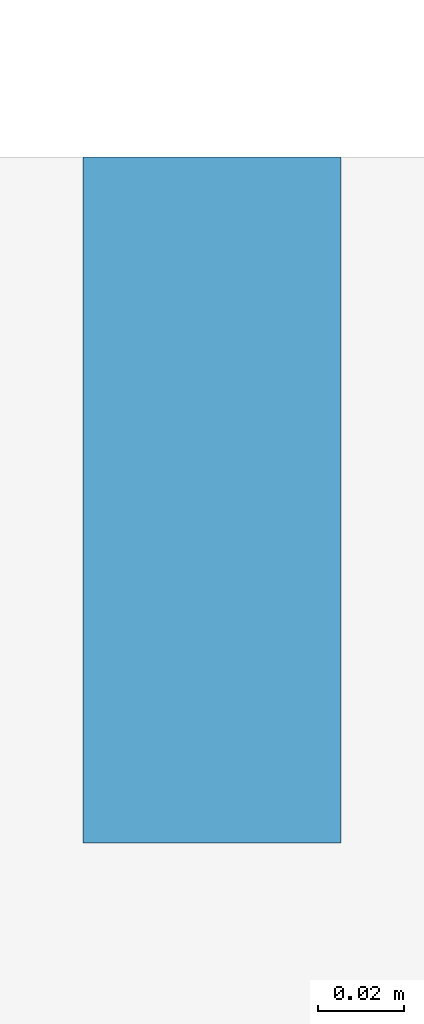
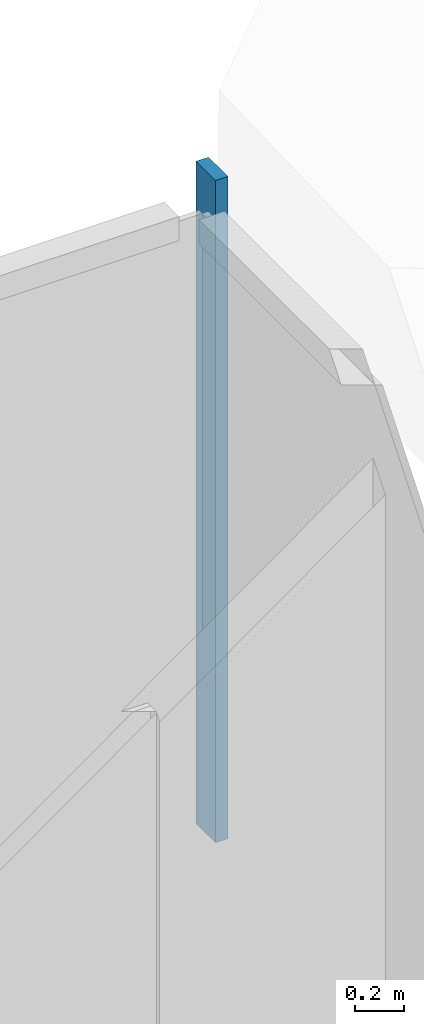
# One storey, part 12 of 26: 1 member, 1 element without a shape of its own.
"""IFC4 building model written with IfcOpenShell, lengths in metres."""

from ifc_helpers import new_model, si_unit, direction, frame, origin, origin_2d, place, context, subcontext, project, spatial, rectangle, extrude, material, material_profile, profile_set, type_object, element, aggregate, save


model = new_model("IFC4")

# Units and contexts
model_context = context("Model", 3, precision=1e-05, world=origin(), true_north=direction((0.0, 1.0)))
body_context = subcontext(model_context, "Body", "Model", "MODEL_VIEW")
ifc_project = project(units=[si_unit("LENGTHUNIT", "METRE"), si_unit("AREAUNIT", "SQUARE_METRE"), si_unit("VOLUMEUNIT", "CUBIC_METRE"), si_unit("PLANEANGLEUNIT", "RADIAN"), si_unit("MASSUNIT", "GRAM", prefix="KILO")], contexts=[model_context])

# Site, building, storey
site_placement = place(None, origin())
site = spatial("IfcSite", under=ifc_project, at=site_placement, CompositionType="ELEMENT")
building_placement = place(site_placement, origin())
building = spatial("IfcBuilding", under=site, at=building_placement, Name="Saffron Gate Tower", CompositionType="ELEMENT")
storey_placement = place(building_placement, frame((0.0, 0.0, 277.949951171875)))
storey = spatial("IfcBuildingStorey", under=building, at=storey_placement, Name="L67", CompositionType="ELEMENT", Elevation=277.949951171875)

# Curtain wall, member
ifc_material = material(Name="Aluminium, bronze anodised", Category="aluminium")
curtain_wall_type = type_object("IfcCurtainWallType", Name="CWS4 curtain wall corner returns", PredefinedType="NOTDEFINED", material=ifc_material)
curtain_wall_placement = place(storey_placement, origin())
curtain_wall = element("IfcCurtainWall", 1, at=curtain_wall_placement, inside=storey, type_object=curtain_wall_type, Name="CWS4 run 5", PredefinedType="NOTDEFINED")
ifc_material_profile = material_profile(ifc_material, rectangle(XDim=0.159912109375, YDim=0.06005859375, at=origin_2d()))
ifc_profile_set = profile_set([ifc_material_profile], Name="Aluminium, bronze anodised")
member_type = type_object("IfcMemberType", Name="CWS4 mullion 60x160", PredefinedType="MULLION", material=ifc_profile_set)
member_placement = place(storey_placement, frame((118.719970703125, 71.320068359375, 0.0), z_axis=(0.0, 0.0, 1.0), x_axis=(0.0, -1.0, 0.0)))
member = element("IfcMember", 2, at=member_placement, type_object=member_type, Name="CWS4 mullion 1", PredefinedType="MULLION", context=body_context, shape_type="SweptSolid", body=[
    extrude(rectangle(XDim=0.159912109375, YDim=0.06005859375, at=origin_2d()), origin(), (0.0, 0.0, 1.0), 3.320068359375),
])
aggregate(curtain_wall, [member])

save(model, "model.ifc")
